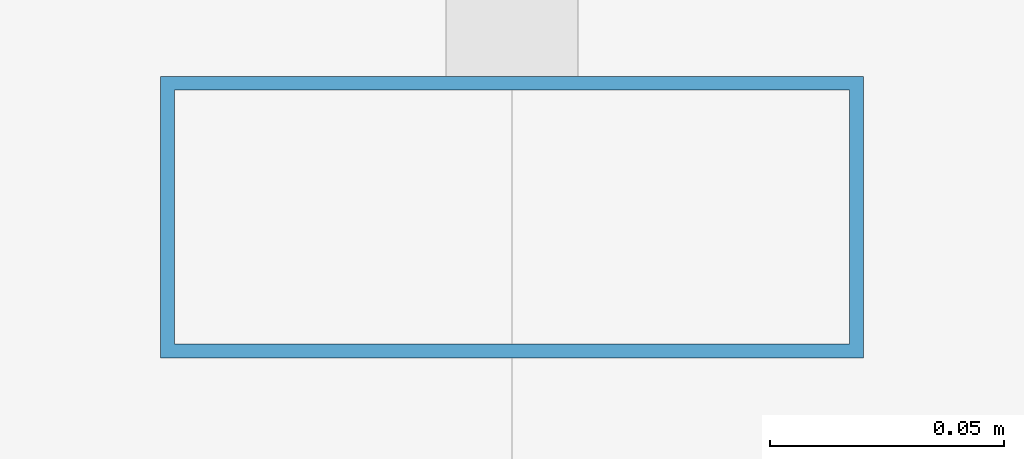
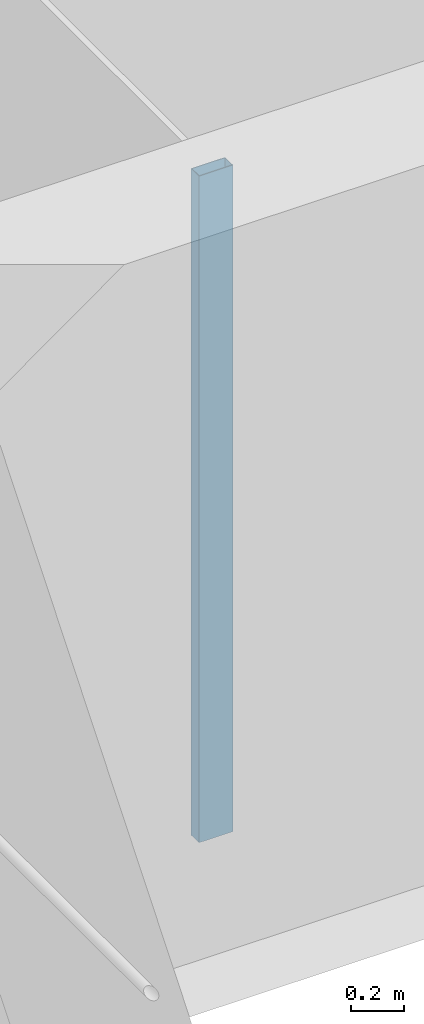
# One storey, part 11 of 44: 1 member, 1 element without a shape of its own.
"""IFC4 building model written with IfcOpenShell, lengths in metres."""

from ifc_helpers import new_model, si_unit, direction, frame, origin, origin_2d, place, context, subcontext, project, spatial, hollow_rectangle, extrude, material, material_profile, profile_set, type_object, element, aggregate, save


model = new_model("IFC4")

# Units and contexts
model_context = context("Model", 3, precision=1e-05, world=origin(), true_north=direction((0.0, 1.0)))
body_context = subcontext(model_context, "Body", "Model", "MODEL_VIEW")
ifc_project = project(units=[si_unit("LENGTHUNIT", "METRE"), si_unit("AREAUNIT", "SQUARE_METRE"), si_unit("VOLUMEUNIT", "CUBIC_METRE"), si_unit("PLANEANGLEUNIT", "RADIAN"), si_unit("MASSUNIT", "GRAM", prefix="KILO")], contexts=[model_context])

# Site, building, storey
site_placement = place(None, origin())
site = spatial("IfcSite", under=ifc_project, at=site_placement, CompositionType="ELEMENT")
building_placement = place(site_placement, origin())
building = spatial("IfcBuilding", under=site, at=building_placement, Name="Altepetl Exchange Towers", CompositionType="ELEMENT")
storey_placement = place(building_placement, frame((0.0, 0.0, 143.800048828125)))
storey = spatial("IfcBuildingStorey", under=building, at=storey_placement, Name="L35", CompositionType="ELEMENT", Elevation=143.800048828125)

# Curtain wall, member
ifc_material_1 = material(Name="Aluminium 6063-T6 glazing", Category="aluminium")
curtain_wall_type = type_object("IfcCurtainWallType", Name="Loggia glazing system", PredefinedType="NOTDEFINED", material=ifc_material_1)
curtain_wall_placement = place(storey_placement, origin())
curtain_wall = element("IfcCurtainWall", 1, at=curtain_wall_placement, inside=storey, type_object=curtain_wall_type, Name="CW1 run", PredefinedType="NOTDEFINED")
ifc_material_2 = material(Name="Aluminium 6063-T6", Category="aluminium")
ifc_material_profile = material_profile(ifc_material_2, hollow_rectangle(XDim=0.06005859375, YDim=0.14990234375, WallThickness=0.0029296875, at=origin_2d()), Name="Mullion 60x150 aluminium")
ifc_profile_set = profile_set([ifc_material_profile], Name="Aluminium 6063-T6")
member_type = type_object("IfcMemberType", Name="Mullion 60x150 aluminium", PredefinedType="MULLION", material=ifc_profile_set)
member_placement = place(storey_placement, frame((42.5, 58.60498046875, 0.0), z_axis=(0.0, 0.0, 1.0), x_axis=(0.0, -1.0, 0.0)))
member = element("IfcMember", 2, at=member_placement, type_object=member_type, Name="MU1 mullion", PredefinedType="MULLION", context=body_context, shape_type="SweptSolid", body=[
    extrude(hollow_rectangle(XDim=0.06005859375, YDim=0.14990234375, WallThickness=0.0029296875, at=origin_2d()), origin(), (0.0, 0.0, 1.0), 3.099853515625),
])
aggregate(curtain_wall, [member])

save(model, "model.ifc")
